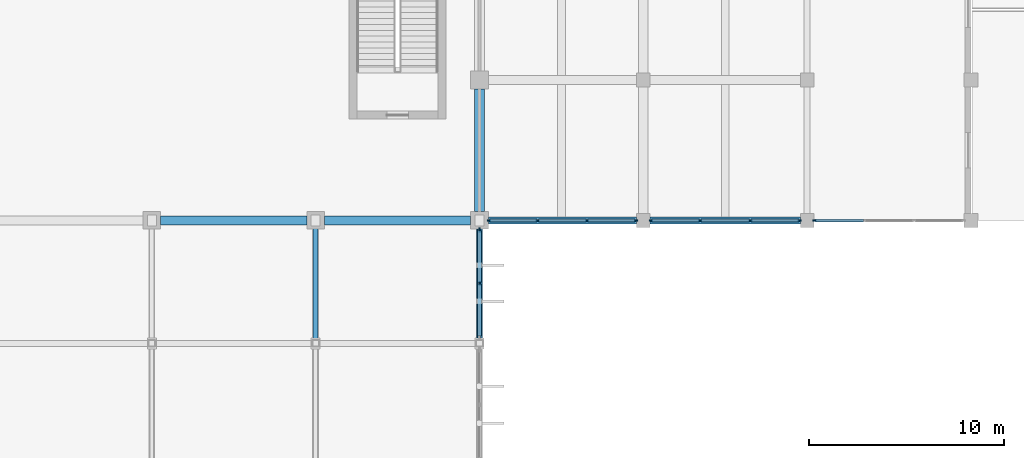
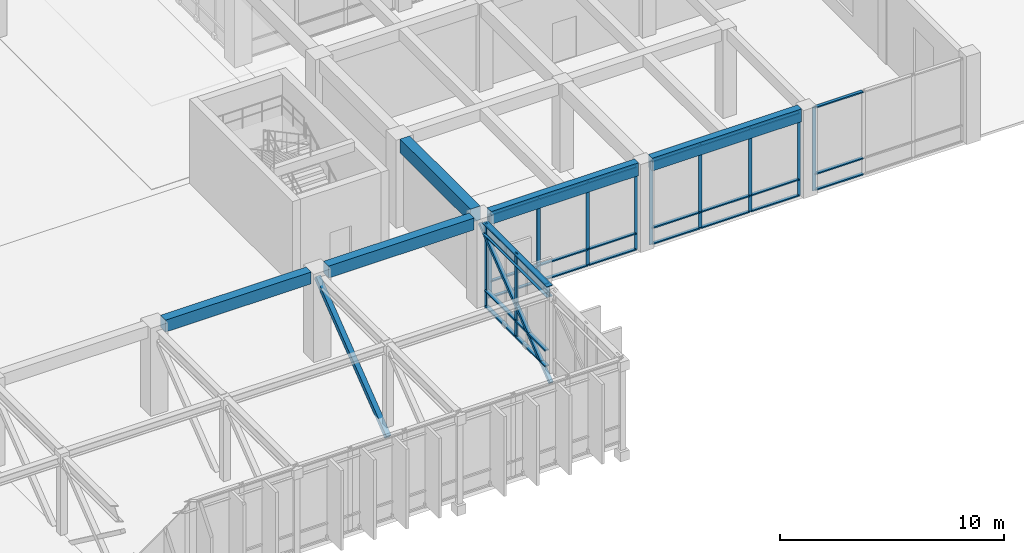
# One storey, part 13 of 51: 40 members, 6 beams, 4 elements without a shape of their own.
"""IFC4 building model written with IfcOpenShell, lengths in metres."""

from ifc_helpers import new_model, si_unit, direction, frame, origin, origin_2d, place, context, subcontext, project, spatial, rectangle, hollow_rectangle, i_section, extrude, material, material_profile, profile_set, type_object, element, aggregate, save


model = new_model("IFC4")

# Units and contexts
model_context = context("Model", 3, precision=1e-05, world=origin(), true_north=direction((0.0, 1.0)))
body_context = subcontext(model_context, "Body", "Model", "MODEL_VIEW")
ifc_project = project(units=[si_unit("LENGTHUNIT", "METRE"), si_unit("AREAUNIT", "SQUARE_METRE"), si_unit("VOLUMEUNIT", "CUBIC_METRE"), si_unit("PLANEANGLEUNIT", "RADIAN"), si_unit("MASSUNIT", "GRAM", prefix="KILO")], contexts=[model_context])

# Site, building, storey
site_placement = place(None, origin())
site = spatial("IfcSite", under=ifc_project, at=site_placement, CompositionType="ELEMENT")
building_placement = place(site_placement, origin())
building = spatial("IfcBuilding", under=site, at=building_placement, Name="Kenerak Square Central Library", CompositionType="ELEMENT")
storey_placement = place(building_placement, frame((0.0, 0.0, 9.60009765625)))
storey = spatial("IfcBuildingStorey", under=building, at=storey_placement, Name="L02", CompositionType="ELEMENT", Elevation=9.60009765625)

# Curtain wall, member
ifc_material_1 = material(Name="Anodised aluminium and solar-control low-E glazing", Category="aluminium")
curtain_wall_type_1 = type_object("IfcCurtainWallType", Name="Curtain Wall CW-V6-77x45 7700x4550", PredefinedType="USERDEFINED", material=ifc_material_1)
curtain_wall_1_placement = place(storey_placement, origin())
curtain_wall_1 = element("IfcCurtainWall", 1, at=curtain_wall_1_placement, inside=storey, type_object=curtain_wall_type_1, Name="Curtain Wall CW-V6-77x45 L02 0092", ObjectType="CURTAIN WALL", PredefinedType="USERDEFINED")
ifc_material_2 = material(Name="Anodised aluminium 6063-T6", Category="aluminium")
ifc_material_profile_1 = material_profile(ifc_material_2, rectangle(XDim=0.06494140625, YDim=0.179931640625, at=origin_2d()), Name="AL MULLION 65x180")
ifc_profile_set_1 = profile_set([ifc_material_profile_1], Name="Anodised aluminium 6063-T6")
member_type_1 = type_object("IfcMemberType", Name="Curtain Mullion CM-01 65x180", PredefinedType="MULLION", material=ifc_profile_set_1)
member_1_placement = place(storey_placement, frame((134.382568359375, 16.800048828125, 0.0), z_axis=(0.0, 0.0, 1.0), x_axis=(0.0, -1.0, 0.0)))
member_1 = element("IfcMember", 2, at=member_1_placement, type_object=member_type_1, Name="CW-V6-77x45 Mullion 4", PredefinedType="MULLION", context=body_context, shape_type="SweptSolid", body=[
    extrude(rectangle(XDim=0.06494140625, YDim=0.179931640625, at=origin_2d()), origin(), (0.0, 0.0, 1.0), 4.5498046875),
])

# Curtain wall, members
curtain_wall_2_placement = place(storey_placement, origin())
curtain_wall_2 = element("IfcCurtainWall", 3, at=curtain_wall_2_placement, inside=storey, type_object=curtain_wall_type_1, Name="Curtain Wall CW-V6-77x45 L02 0093", ObjectType="CURTAIN WALL", PredefinedType="USERDEFINED")
member_2_placement = place(storey_placement, frame((133.617431640625, 16.800048828125, 0.0), z_axis=(0.0, 0.0, 1.0), x_axis=(0.0, -1.0, 0.0)))
member_2 = element("IfcMember", 4, at=member_2_placement, type_object=member_type_1, Name="CW-V6-77x45 Mullion 1", PredefinedType="MULLION", context=body_context, shape_type="SweptSolid", body=[
    extrude(rectangle(XDim=0.06494140625, YDim=0.179931640625, at=origin_2d()), origin(), (0.0, 0.0, 1.0), 4.5498046875),
])
member_3_placement = place(storey_placement, frame((131.083251953125, 16.800048828125, 0.0), z_axis=(0.0, 0.0, 1.0), x_axis=(0.0, -1.0, 0.0)))
member_3 = element("IfcMember", 5, at=member_3_placement, type_object=member_type_1, Name="CW-V6-77x45 Mullion 2", PredefinedType="MULLION", context=body_context, shape_type="SweptSolid", body=[
    extrude(rectangle(XDim=0.06494140625, YDim=0.179931640625, at=origin_2d()), origin(), (0.0, 0.0, 1.0), 4.5498046875),
])
member_4_placement = place(storey_placement, frame((128.5166015625, 16.800048828125, 0.0), z_axis=(0.0, 0.0, 1.0), x_axis=(0.0, -1.0, 0.0)))
member_4 = element("IfcMember", 6, at=member_4_placement, type_object=member_type_1, Name="CW-V6-77x45 Mullion 3", PredefinedType="MULLION", context=body_context, shape_type="SweptSolid", body=[
    extrude(rectangle(XDim=0.06494140625, YDim=0.179931640625, at=origin_2d()), origin(), (0.0, 0.0, 1.0), 4.5498046875),
])
member_5_placement = place(storey_placement, frame((125.982421875, 16.800048828125, 0.0), z_axis=(0.0, 0.0, 1.0), x_axis=(0.0, -1.0, 0.0)))
member_5 = element("IfcMember", 7, at=member_5_placement, type_object=member_type_1, Name="CW-V6-77x45 Mullion 4", PredefinedType="MULLION", context=body_context, shape_type="SweptSolid", body=[
    extrude(rectangle(XDim=0.06494140625, YDim=0.179931640625, at=origin_2d()), origin(), (0.0, 0.0, 1.0), 4.5498046875),
])

curtain_wall_type_2 = type_object("IfcCurtainWallType", Name="Curtain Wall CW-V6-76x45 7600x4550", PredefinedType="USERDEFINED", material=ifc_material_1)
curtain_wall_3_placement = place(storey_placement, origin())
curtain_wall_3 = element("IfcCurtainWall", 8, at=curtain_wall_3_placement, inside=storey, type_object=curtain_wall_type_2, Name="Curtain Wall CW-V6-76x45 L02 0094", ObjectType="CURTAIN WALL", PredefinedType="USERDEFINED")
member_6_placement = place(storey_placement, frame((125.217529296875, 16.800048828125, 0.0), z_axis=(0.0, 0.0, 1.0), x_axis=(0.0, -1.0, 0.0)))
member_6 = element("IfcMember", 9, at=member_6_placement, type_object=member_type_1, Name="CW-V6-76x45 Mullion 1", PredefinedType="MULLION", context=body_context, shape_type="SweptSolid", body=[
    extrude(rectangle(XDim=0.06494140625, YDim=0.179931640625, at=origin_2d()), origin(), (0.0, 0.0, 1.0), 4.5498046875),
])
member_7_placement = place(storey_placement, frame((122.716552734375, 16.800048828125, 0.0), z_axis=(0.0, 0.0, 1.0), x_axis=(0.0, -1.0, 0.0)))
member_7 = element("IfcMember", 10, at=member_7_placement, type_object=member_type_1, Name="CW-V6-76x45 Mullion 2", PredefinedType="MULLION", context=body_context, shape_type="SweptSolid", body=[
    extrude(rectangle(XDim=0.06494140625, YDim=0.179931640625, at=origin_2d()), origin(), (0.0, 0.0, 1.0), 4.5498046875),
])
member_8_placement = place(storey_placement, frame((120.183349609375, 16.800048828125, 0.0), z_axis=(0.0, 0.0, 1.0), x_axis=(0.0, -1.0, 0.0)))
member_8 = element("IfcMember", 11, at=member_8_placement, type_object=member_type_1, Name="CW-V6-76x45 Mullion 3", PredefinedType="MULLION", context=body_context, shape_type="SweptSolid", body=[
    extrude(rectangle(XDim=0.06494140625, YDim=0.179931640625, at=origin_2d()), origin(), (0.0, 0.0, 1.0), 4.5498046875),
])
member_9_placement = place(storey_placement, frame((117.6826171875, 16.800048828125, 0.0), z_axis=(0.0, 0.0, 1.0), x_axis=(0.0, -1.0, 0.0)))
member_9 = element("IfcMember", 12, at=member_9_placement, type_object=member_type_1, Name="CW-V6-76x45 Mullion 4", PredefinedType="MULLION", context=body_context, shape_type="SweptSolid", body=[
    extrude(rectangle(XDim=0.06494140625, YDim=0.179931640625, at=origin_2d()), origin(), (0.0, 0.0, 1.0), 4.5498046875),
])

curtain_wall_type_3 = type_object("IfcCurtainWallType", Name="Curtain Wall CW-V1-55x45 5550x4550", PredefinedType="USERDEFINED", material=ifc_material_1)
curtain_wall_4_placement = place(storey_placement, origin())
curtain_wall_4 = element("IfcCurtainWall", 13, at=curtain_wall_4_placement, inside=storey, type_object=curtain_wall_type_3, Name="Curtain Wall CW-V1-55x45 L02 0095", ObjectType="CURTAIN WALL", PredefinedType="USERDEFINED")
ifc_material_profile_2 = material_profile(ifc_material_2, rectangle(XDim=0.074951171875, YDim=0.219970703125, at=origin_2d()), Name="AL MULLION 75x220")
ifc_profile_set_2 = profile_set([ifc_material_profile_2], Name="Anodised aluminium 6063-T6")
member_type_2 = type_object("IfcMemberType", Name="Curtain Mullion CM-02 75x220", PredefinedType="MULLION", material=ifc_profile_set_2)
member_10_placement = place(storey_placement, frame((117.199951171875, 16.3125, 0.0), z_axis=(0.0, 0.0, 1.0), x_axis=(1.0, 0.0, 0.0)))
member_10 = element("IfcMember", 14, at=member_10_placement, type_object=member_type_2, Name="CW-V1-55x45 Mullion 1", PredefinedType="MULLION", context=body_context, shape_type="SweptSolid", body=[
    extrude(rectangle(XDim=0.074951171875, YDim=0.219970703125, at=origin_2d()), origin(), (0.0, 0.0, 1.0), 4.5498046875),
])
member_11_placement = place(storey_placement, frame((117.199951171875, 13.574951171875, 0.0), z_axis=(0.0, 0.0, 1.0), x_axis=(1.0, 0.0, 0.0)))
member_11 = element("IfcMember", 15, at=member_11_placement, type_object=member_type_2, Name="CW-V1-55x45 Mullion 2", PredefinedType="MULLION", context=body_context, shape_type="SweptSolid", body=[
    extrude(rectangle(XDim=0.074951171875, YDim=0.219970703125, at=origin_2d()), origin(), (0.0, 0.0, 1.0), 4.5498046875),
])

# Member
ifc_material_profile_3 = material_profile(ifc_material_2, rectangle(XDim=0.159912109375, YDim=0.06494140625, at=origin_2d()), Name="AL TRANSOM 160x65")
ifc_profile_set_3 = profile_set([ifc_material_profile_3], Name="Anodised aluminium 6063-T6")
member_type_3 = type_object("IfcMemberType", Name="Curtain Transom CT-11 160x65", PredefinedType="USERDEFINED", material=ifc_profile_set_3)
member_12_placement = place(storey_placement, frame((136.88427734375, 16.800048828125, 0.032470703125), z_axis=(-1.0, 0.0, 0.0), x_axis=(0.0, -1.0, 0.0)))
member_12 = element("IfcMember", 16, at=member_12_placement, type_object=member_type_3, Name="CW-V6-77x45 Transom 3.1", ObjectType="TRANSOM", PredefinedType="USERDEFINED", context=body_context, shape_type="SweptSolid", body=[
    extrude(rectangle(XDim=0.159912109375, YDim=0.06494140625, at=origin_2d()), origin(), (0.0, 0.0, 1.0), 2.46923828125),
])

member_13_placement = place(storey_placement, frame((136.88427734375, 16.800048828125, 0.89990234375), z_axis=(-1.0, 0.0, 0.0), x_axis=(0.0, -1.0, 0.0)))
member_13 = element("IfcMember", 17, at=member_13_placement, type_object=member_type_3, Name="CW-V6-77x45 Transom 3.2", ObjectType="TRANSOM", PredefinedType="USERDEFINED", context=body_context, shape_type="SweptSolid", body=[
    extrude(rectangle(XDim=0.159912109375, YDim=0.06494140625, at=origin_2d()), origin(), (0.0, 0.0, 1.0), 2.46923828125),
])

member_14_placement = place(storey_placement, frame((136.88427734375, 16.800048828125, 4.517333984375), z_axis=(-1.0, 0.0, 0.0), x_axis=(0.0, -1.0, 0.0)))
member_14 = element("IfcMember", 18, at=member_14_placement, type_object=member_type_3, Name="CW-V6-77x45 Transom 3.3", ObjectType="TRANSOM", PredefinedType="USERDEFINED", context=body_context, shape_type="SweptSolid", body=[
    extrude(rectangle(XDim=0.159912109375, YDim=0.06494140625, at=origin_2d()), origin(), (0.0, 0.0, 1.0), 2.46923828125),
])

aggregate(curtain_wall_1, [member_1, member_12, member_13, member_14])

member_15_placement = place(storey_placement, frame((133.5849609375, 16.800048828125, 0.032470703125), z_axis=(-1.0, 0.0, 0.0), x_axis=(0.0, -1.0, 0.0)))
member_15 = element("IfcMember", 19, at=member_15_placement, type_object=member_type_3, Name="CW-V6-77x45 Transom 1.1", ObjectType="TRANSOM", PredefinedType="USERDEFINED", context=body_context, shape_type="SweptSolid", body=[
    extrude(rectangle(XDim=0.159912109375, YDim=0.06494140625, at=origin_2d()), origin(), (0.0, 0.0, 1.0), 2.46923828125),
])

member_16_placement = place(storey_placement, frame((133.5849609375, 16.800048828125, 0.89990234375), z_axis=(-1.0, 0.0, 0.0), x_axis=(0.0, -1.0, 0.0)))
member_16 = element("IfcMember", 20, at=member_16_placement, type_object=member_type_3, Name="CW-V6-77x45 Transom 1.2", ObjectType="TRANSOM", PredefinedType="USERDEFINED", context=body_context, shape_type="SweptSolid", body=[
    extrude(rectangle(XDim=0.159912109375, YDim=0.06494140625, at=origin_2d()), origin(), (0.0, 0.0, 1.0), 2.46923828125),
])

member_17_placement = place(storey_placement, frame((133.5849609375, 16.800048828125, 4.517333984375), z_axis=(-1.0, 0.0, 0.0), x_axis=(0.0, -1.0, 0.0)))
member_17 = element("IfcMember", 21, at=member_17_placement, type_object=member_type_3, Name="CW-V6-77x45 Transom 1.3", ObjectType="TRANSOM", PredefinedType="USERDEFINED", context=body_context, shape_type="SweptSolid", body=[
    extrude(rectangle(XDim=0.159912109375, YDim=0.06494140625, at=origin_2d()), origin(), (0.0, 0.0, 1.0), 2.46923828125),
])

member_18_placement = place(storey_placement, frame((131.05078125, 16.800048828125, 0.032470703125), z_axis=(-1.0, 0.0, 0.0), x_axis=(0.0, -1.0, 0.0)))
member_18 = element("IfcMember", 22, at=member_18_placement, type_object=member_type_3, Name="CW-V6-77x45 Transom 2.1", ObjectType="TRANSOM", PredefinedType="USERDEFINED", context=body_context, shape_type="SweptSolid", body=[
    extrude(rectangle(XDim=0.159912109375, YDim=0.06494140625, at=origin_2d()), origin(), (0.0, 0.0, 1.0), 2.501708984375),
])

member_19_placement = place(storey_placement, frame((131.05078125, 16.800048828125, 0.89990234375), z_axis=(-1.0, 0.0, 0.0), x_axis=(0.0, -1.0, 0.0)))
member_19 = element("IfcMember", 23, at=member_19_placement, type_object=member_type_3, Name="CW-V6-77x45 Transom 2.2", ObjectType="TRANSOM", PredefinedType="USERDEFINED", context=body_context, shape_type="SweptSolid", body=[
    extrude(rectangle(XDim=0.159912109375, YDim=0.06494140625, at=origin_2d()), origin(), (0.0, 0.0, 1.0), 2.501708984375),
])

member_20_placement = place(storey_placement, frame((131.05078125, 16.800048828125, 4.517333984375), z_axis=(-1.0, 0.0, 0.0), x_axis=(0.0, -1.0, 0.0)))
member_20 = element("IfcMember", 24, at=member_20_placement, type_object=member_type_3, Name="CW-V6-77x45 Transom 2.3", ObjectType="TRANSOM", PredefinedType="USERDEFINED", context=body_context, shape_type="SweptSolid", body=[
    extrude(rectangle(XDim=0.159912109375, YDim=0.06494140625, at=origin_2d()), origin(), (0.0, 0.0, 1.0), 2.501708984375),
])

member_21_placement = place(storey_placement, frame((128.484130859375, 16.800048828125, 0.032470703125), z_axis=(-1.0, 0.0, 0.0), x_axis=(0.0, -1.0, 0.0)))
member_21 = element("IfcMember", 25, at=member_21_placement, type_object=member_type_3, Name="CW-V6-77x45 Transom 3.1", ObjectType="TRANSOM", PredefinedType="USERDEFINED", context=body_context, shape_type="SweptSolid", body=[
    extrude(rectangle(XDim=0.159912109375, YDim=0.06494140625, at=origin_2d()), origin(), (0.0, 0.0, 1.0), 2.46923828125),
])

member_22_placement = place(storey_placement, frame((128.484130859375, 16.800048828125, 0.89990234375), z_axis=(-1.0, 0.0, 0.0), x_axis=(0.0, -1.0, 0.0)))
member_22 = element("IfcMember", 26, at=member_22_placement, type_object=member_type_3, Name="CW-V6-77x45 Transom 3.2", ObjectType="TRANSOM", PredefinedType="USERDEFINED", context=body_context, shape_type="SweptSolid", body=[
    extrude(rectangle(XDim=0.159912109375, YDim=0.06494140625, at=origin_2d()), origin(), (0.0, 0.0, 1.0), 2.46923828125),
])

member_23_placement = place(storey_placement, frame((128.484130859375, 16.800048828125, 4.517333984375), z_axis=(-1.0, 0.0, 0.0), x_axis=(0.0, -1.0, 0.0)))
member_23 = element("IfcMember", 27, at=member_23_placement, type_object=member_type_3, Name="CW-V6-77x45 Transom 3.3", ObjectType="TRANSOM", PredefinedType="USERDEFINED", context=body_context, shape_type="SweptSolid", body=[
    extrude(rectangle(XDim=0.159912109375, YDim=0.06494140625, at=origin_2d()), origin(), (0.0, 0.0, 1.0), 2.46923828125),
])

aggregate(curtain_wall_2, [member_2, member_3, member_4, member_5, member_15, member_16, member_17, member_18, member_19, member_20, member_21, member_22, member_23])

member_24_placement = place(storey_placement, frame((125.18505859375, 16.800048828125, 0.032470703125), z_axis=(-1.0, 0.0, 0.0), x_axis=(0.0, -1.0, 0.0)))
member_24 = element("IfcMember", 28, at=member_24_placement, type_object=member_type_3, Name="CW-V6-76x45 Transom 1.1", ObjectType="TRANSOM", PredefinedType="USERDEFINED", context=body_context, shape_type="SweptSolid", body=[
    extrude(rectangle(XDim=0.159912109375, YDim=0.06494140625, at=origin_2d()), origin(), (0.0, 0.0, 1.0), 2.435791015625),
])

member_25_placement = place(storey_placement, frame((125.18505859375, 16.800048828125, 0.89990234375), z_axis=(-1.0, 0.0, 0.0), x_axis=(0.0, -1.0, 0.0)))
member_25 = element("IfcMember", 29, at=member_25_placement, type_object=member_type_3, Name="CW-V6-76x45 Transom 1.2", ObjectType="TRANSOM", PredefinedType="USERDEFINED", context=body_context, shape_type="SweptSolid", body=[
    extrude(rectangle(XDim=0.159912109375, YDim=0.06494140625, at=origin_2d()), origin(), (0.0, 0.0, 1.0), 2.435791015625),
])

member_26_placement = place(storey_placement, frame((125.18505859375, 16.800048828125, 4.517333984375), z_axis=(-1.0, 0.0, 0.0), x_axis=(0.0, -1.0, 0.0)))
member_26 = element("IfcMember", 30, at=member_26_placement, type_object=member_type_3, Name="CW-V6-76x45 Transom 1.3", ObjectType="TRANSOM", PredefinedType="USERDEFINED", context=body_context, shape_type="SweptSolid", body=[
    extrude(rectangle(XDim=0.159912109375, YDim=0.06494140625, at=origin_2d()), origin(), (0.0, 0.0, 1.0), 2.435791015625),
])

member_27_placement = place(storey_placement, frame((122.68408203125, 16.800048828125, 0.032470703125), z_axis=(-1.0, 0.0, 0.0), x_axis=(0.0, -1.0, 0.0)))
member_27 = element("IfcMember", 31, at=member_27_placement, type_object=member_type_3, Name="CW-V6-76x45 Transom 2.1", ObjectType="TRANSOM", PredefinedType="USERDEFINED", context=body_context, shape_type="SweptSolid", body=[
    extrude(rectangle(XDim=0.159912109375, YDim=0.06494140625, at=origin_2d()), origin(), (0.0, 0.0, 1.0), 2.46826171875),
])

member_28_placement = place(storey_placement, frame((122.68408203125, 16.800048828125, 0.89990234375), z_axis=(-1.0, 0.0, 0.0), x_axis=(0.0, -1.0, 0.0)))
member_28 = element("IfcMember", 32, at=member_28_placement, type_object=member_type_3, Name="CW-V6-76x45 Transom 2.2", ObjectType="TRANSOM", PredefinedType="USERDEFINED", context=body_context, shape_type="SweptSolid", body=[
    extrude(rectangle(XDim=0.159912109375, YDim=0.06494140625, at=origin_2d()), origin(), (0.0, 0.0, 1.0), 2.46826171875),
])

member_29_placement = place(storey_placement, frame((122.68408203125, 16.800048828125, 4.517333984375), z_axis=(-1.0, 0.0, 0.0), x_axis=(0.0, -1.0, 0.0)))
member_29 = element("IfcMember", 33, at=member_29_placement, type_object=member_type_3, Name="CW-V6-76x45 Transom 2.3", ObjectType="TRANSOM", PredefinedType="USERDEFINED", context=body_context, shape_type="SweptSolid", body=[
    extrude(rectangle(XDim=0.159912109375, YDim=0.06494140625, at=origin_2d()), origin(), (0.0, 0.0, 1.0), 2.46826171875),
])

member_30_placement = place(storey_placement, frame((120.15087890625, 16.800048828125, 0.032470703125), z_axis=(-1.0, 0.0, 0.0), x_axis=(0.0, -1.0, 0.0)))
member_30 = element("IfcMember", 34, at=member_30_placement, type_object=member_type_3, Name="CW-V6-76x45 Transom 3.1", ObjectType="TRANSOM", PredefinedType="USERDEFINED", context=body_context, shape_type="SweptSolid", body=[
    extrude(rectangle(XDim=0.159912109375, YDim=0.06494140625, at=origin_2d()), origin(), (0.0, 0.0, 1.0), 2.435791015625),
])

member_31_placement = place(storey_placement, frame((120.15087890625, 16.800048828125, 0.89990234375), z_axis=(-1.0, 0.0, 0.0), x_axis=(0.0, -1.0, 0.0)))
member_31 = element("IfcMember", 35, at=member_31_placement, type_object=member_type_3, Name="CW-V6-76x45 Transom 3.2", ObjectType="TRANSOM", PredefinedType="USERDEFINED", context=body_context, shape_type="SweptSolid", body=[
    extrude(rectangle(XDim=0.159912109375, YDim=0.06494140625, at=origin_2d()), origin(), (0.0, 0.0, 1.0), 2.435791015625),
])

member_32_placement = place(storey_placement, frame((120.15087890625, 16.800048828125, 4.517333984375), z_axis=(-1.0, 0.0, 0.0), x_axis=(0.0, -1.0, 0.0)))
member_32 = element("IfcMember", 36, at=member_32_placement, type_object=member_type_3, Name="CW-V6-76x45 Transom 3.3", ObjectType="TRANSOM", PredefinedType="USERDEFINED", context=body_context, shape_type="SweptSolid", body=[
    extrude(rectangle(XDim=0.159912109375, YDim=0.06494140625, at=origin_2d()), origin(), (0.0, 0.0, 1.0), 2.435791015625),
])

aggregate(curtain_wall_3, [member_6, member_7, member_8, member_9, member_24, member_25, member_26, member_27, member_28, member_29, member_30, member_31, member_32])

ifc_material_profile_4 = material_profile(ifc_material_2, rectangle(XDim=0.199951171875, YDim=0.074951171875, at=origin_2d()), Name="AL TRANSOM 200x75")
ifc_profile_set_4 = profile_set([ifc_material_profile_4], Name="Anodised aluminium 6063-T6")
member_type_4 = type_object("IfcMemberType", Name="Curtain Transom CT-12 200x75", PredefinedType="USERDEFINED", material=ifc_profile_set_4)
member_33_placement = place(storey_placement, frame((117.199951171875, 16.27490234375, 0.037353515625), z_axis=(0.0, -1.0, 0.0), x_axis=(1.0, 0.0, 0.0)))
member_33 = element("IfcMember", 37, at=member_33_placement, type_object=member_type_4, Name="CW-V1-55x45 Transom 1.1", ObjectType="TRANSOM", PredefinedType="USERDEFINED", context=body_context, shape_type="SweptSolid", body=[
    extrude(rectangle(XDim=0.199951171875, YDim=0.074951171875, at=origin_2d()), origin(), (0.0, 0.0, 1.0), 2.662353515625),
])

member_34_placement = place(storey_placement, frame((117.199951171875, 16.27490234375, 0.89990234375), z_axis=(0.0, -1.0, 0.0), x_axis=(1.0, 0.0, 0.0)))
member_34 = element("IfcMember", 38, at=member_34_placement, type_object=member_type_4, Name="CW-V1-55x45 Transom 1.2", ObjectType="TRANSOM", PredefinedType="USERDEFINED", context=body_context, shape_type="SweptSolid", body=[
    extrude(rectangle(XDim=0.199951171875, YDim=0.074951171875, at=origin_2d()), origin(), (0.0, 0.0, 1.0), 2.662353515625),
])

member_35_placement = place(storey_placement, frame((117.199951171875, 16.27490234375, 4.512451171875), z_axis=(0.0, -1.0, 0.0), x_axis=(1.0, 0.0, 0.0)))
member_35 = element("IfcMember", 39, at=member_35_placement, type_object=member_type_4, Name="CW-V1-55x45 Transom 1.3", ObjectType="TRANSOM", PredefinedType="USERDEFINED", context=body_context, shape_type="SweptSolid", body=[
    extrude(rectangle(XDim=0.199951171875, YDim=0.074951171875, at=origin_2d()), origin(), (0.0, 0.0, 1.0), 2.662353515625),
])

member_36_placement = place(storey_placement, frame((117.199951171875, 13.53759765625, 0.037353515625), z_axis=(0.0, -1.0, 0.0), x_axis=(1.0, 0.0, 0.0)))
member_36 = element("IfcMember", 40, at=member_36_placement, type_object=member_type_4, Name="CW-V1-55x45 Transom 2.1", ObjectType="TRANSOM", PredefinedType="USERDEFINED", context=body_context, shape_type="SweptSolid", body=[
    extrude(rectangle(XDim=0.199951171875, YDim=0.074951171875, at=origin_2d()), origin(), (0.0, 0.0, 1.0), 2.66259765625),
])

member_37_placement = place(storey_placement, frame((117.199951171875, 13.53759765625, 0.89990234375), z_axis=(0.0, -1.0, 0.0), x_axis=(1.0, 0.0, 0.0)))
member_37 = element("IfcMember", 41, at=member_37_placement, type_object=member_type_4, Name="CW-V1-55x45 Transom 2.2", ObjectType="TRANSOM", PredefinedType="USERDEFINED", context=body_context, shape_type="SweptSolid", body=[
    extrude(rectangle(XDim=0.199951171875, YDim=0.074951171875, at=origin_2d()), origin(), (0.0, 0.0, 1.0), 2.66259765625),
])

member_38_placement = place(storey_placement, frame((117.199951171875, 13.53759765625, 4.512451171875), z_axis=(0.0, -1.0, 0.0), x_axis=(1.0, 0.0, 0.0)))
member_38 = element("IfcMember", 42, at=member_38_placement, type_object=member_type_4, Name="CW-V1-55x45 Transom 2.3", ObjectType="TRANSOM", PredefinedType="USERDEFINED", context=body_context, shape_type="SweptSolid", body=[
    extrude(rectangle(XDim=0.199951171875, YDim=0.074951171875, at=origin_2d()), origin(), (0.0, 0.0, 1.0), 2.66259765625),
])

aggregate(curtain_wall_4, [member_10, member_11, member_33, member_34, member_35, member_36, member_37, member_38])

# Beams
ifc_material_3 = material(Name="Concrete C40/50", Category="concrete")
ifc_material_profile_5 = material_profile(ifc_material_3, rectangle(XDim=0.35009765625, YDim=0.699951171875, at=origin_2d()), Name="RC 350x700")
ifc_profile_set_5 = profile_set([ifc_material_profile_5], Name="Concrete C40/50")
beam_type_1 = type_object("IfcBeamType", Name="Expressed Spandrel Beam SP-01 RC 350x700 C40/50", PredefinedType="SPANDREL", material=ifc_profile_set_5)
beam_1_placement = place(storey_placement, frame((117.64990234375, 16.800048828125, 4.449951171875), z_axis=(1.0, 0.0, 0.0), x_axis=(0.0, 1.0, 0.0)))
element("IfcBeam", 43, at=beam_1_placement, inside=storey, type_object=beam_type_1, Name="Beam SP-01 L02 1197", PredefinedType="SPANDREL", context=body_context, shape_type="SweptSolid", body=[
    extrude(rectangle(XDim=0.35009765625, YDim=0.699951171875, at=origin_2d()), origin(), (0.0, 0.0, 1.0), 7.60009765625),
])
beam_2_placement = place(storey_placement, frame((125.949951171875, 16.800048828125, 4.449951171875), z_axis=(1.0, 0.0, 0.0), x_axis=(0.0, 1.0, 0.0)))
element("IfcBeam", 44, at=beam_2_placement, inside=storey, type_object=beam_type_1, Name="Beam SP-01 L02 1198", PredefinedType="SPANDREL", context=body_context, shape_type="SweptSolid", body=[
    extrude(rectangle(XDim=0.35009765625, YDim=0.699951171875, at=origin_2d()), origin(), (0.0, 0.0, 1.0), 7.699951171875),
])
ifc_material_profile_6 = material_profile(ifc_material_3, rectangle(XDim=0.449951171875, YDim=0.64990234375, at=origin_2d()), Name="RC 450x650")
ifc_profile_set_6 = profile_set([ifc_material_profile_6], Name="Concrete C40/50")
beam_type_2 = type_object("IfcBeamType", Name="Mezzanine Frame Beam B-06 RC 450x650 C40/50", PredefinedType="BEAM", material=ifc_profile_set_6)
for number, where, z_axis, x_axis, name in (
    (45, (100.85009765625, 16.800048828125, 4.474853515625), (1.0, 0.0, 0.0), (0.0, 1.0, 0.0), "Beam B-06 L02 1195"),
    (46, (109.25, 16.800048828125, 4.474853515625), (1.0, 0.0, 0.0), (0.0, 1.0, 0.0), "Beam B-06 L02 1196"),
):
    element("IfcBeam", number, at=place(storey_placement, frame(where, z_axis=z_axis, x_axis=x_axis)), inside=storey, type_object=beam_type_2, Name=name, PredefinedType="BEAM", context=body_context, shape_type="SweptSolid", body=[
        extrude(rectangle(XDim=0.449951171875, YDim=0.64990234375, at=origin_2d()), origin(), (0.0, 0.0, 1.0), 7.5),
    ])
ifc_material_4 = material(Name="Steel S355", Category="steel")
ifc_material_profile_7 = material_profile(ifc_material_4, i_section(OverallWidth=0.300048828125, OverallDepth=0.60009765625, WebThickness=0.015380859375, FlangeThickness=0.030029296875, FilletRadius=0.027099609375, at=origin_2d()), Name="HEB 600")
ifc_profile_set_7 = profile_set([ifc_material_profile_7], Name="Steel S355")
beam_type_3 = type_object("IfcBeamType", Name="Overhang Truss Chord SB-02 HEB 600 S355", PredefinedType="BEAM", material=ifc_profile_set_7)
beam_3_placement = place(storey_placement, frame((117.199951171875, 10.6201171875, 4.25), z_axis=(0.0, 1.0, 0.0), x_axis=(-1.0, 0.0, 0.0)))
element("IfcBeam", 47, at=beam_3_placement, inside=storey, type_object=beam_type_3, Name="Wall-Truss Chord 8 L02 118", PredefinedType="BEAM", context=body_context, shape_type="SweptSolid", body=[
    extrude(i_section(OverallWidth=0.300048828125, OverallDepth=0.60009765625, WebThickness=0.015380859375, FlangeThickness=0.030029296875, FilletRadius=0.027099609375, at=origin_2d()), origin(), (0.0, 0.0, 1.0), 5.77978515625),
])

# Member
ifc_material_profile_8 = material_profile(ifc_material_4, hollow_rectangle(XDim=0.179931640625, YDim=0.179931640625, WallThickness=0.008056640625, at=origin_2d()), Name="SHS 180x180x8.0")
ifc_profile_set_8 = profile_set([ifc_material_profile_8], Name="Steel S355")
member_type_5 = type_object("IfcMemberType", Name="Overhang Web Tie TM-06 SHS 180x180x8 S355", PredefinedType="STRUT", material=ifc_profile_set_8)
member_39_placement = place(storey_placement, frame((117.199951171875, 10.5, -0.650146484375), z_axis=(0.0, 0.78934562896, 0.613949084242), x_axis=(-1.0, 0.0, 0.0)))
element("IfcMember", 48, at=member_39_placement, inside=storey, type_object=member_type_5, Name="Wall-Truss Diagonal 8 L02 124", PredefinedType="STRUT", context=body_context, shape_type="SweptSolid", body=[
    extrude(hollow_rectangle(XDim=0.179931640625, YDim=0.179931640625, WallThickness=0.008056640625, at=origin_2d()), origin(), (0.0, 0.0, 1.0), 7.9814453125),
])

# Beam
ifc_material_profile_9 = material_profile(ifc_material_3, rectangle(XDim=0.5, YDim=0.75, at=origin_2d()), Name="RC 500x750")
ifc_profile_set_9 = profile_set([ifc_material_profile_9], Name="Concrete C40/50")
beam_type_4 = type_object("IfcBeamType", Name="Transverse Frame Beam B-05 RC 500x750 C40/50", PredefinedType="BEAM", material=ifc_profile_set_9)
beam_4_placement = place(storey_placement, frame((117.199951171875, 17.25, 4.4248046875), z_axis=(0.0, 1.0, 0.0), x_axis=(-1.0, 0.0, 0.0)))
element("IfcBeam", 49, at=beam_4_placement, inside=storey, type_object=beam_type_4, Name="Beam B-05 L02 1343", PredefinedType="BEAM", context=body_context, shape_type="SweptSolid", body=[
    extrude(rectangle(XDim=0.5, YDim=0.75, at=origin_2d()), origin(), (0.0, 0.0, 1.0), 6.300048828125),
])

# Member
ifc_material_profile_10 = material_profile(ifc_material_4, hollow_rectangle(XDim=0.25, YDim=0.25, WallThickness=0.010009765625, at=origin_2d()), Name="SHS 250x250x10.0")
ifc_profile_set_10 = profile_set([ifc_material_profile_10], Name="Steel S355")
member_type_6 = type_object("IfcMemberType", Name="Wall-Truss Web Diagonal TM-03 SHS 250x250x10 S355", PredefinedType="BRACE", material=ifc_profile_set_10)
member_40_placement = place(storey_placement, frame((108.800048828125, 10.5, -0.650146484375), z_axis=(0.0, 0.78934562896, 0.613949084242), x_axis=(-1.0, 0.0, 0.0)))
element("IfcMember", 50, at=member_40_placement, inside=storey, type_object=member_type_6, Name="Wall-Truss Diagonal 7 L02 108", PredefinedType="BRACE", context=body_context, shape_type="SweptSolid", body=[
    extrude(hollow_rectangle(XDim=0.25, YDim=0.25, WallThickness=0.010009765625, at=origin_2d()), origin(), (0.0, 0.0, 1.0), 7.9814453125),
])

save(model, "model.ifc")
